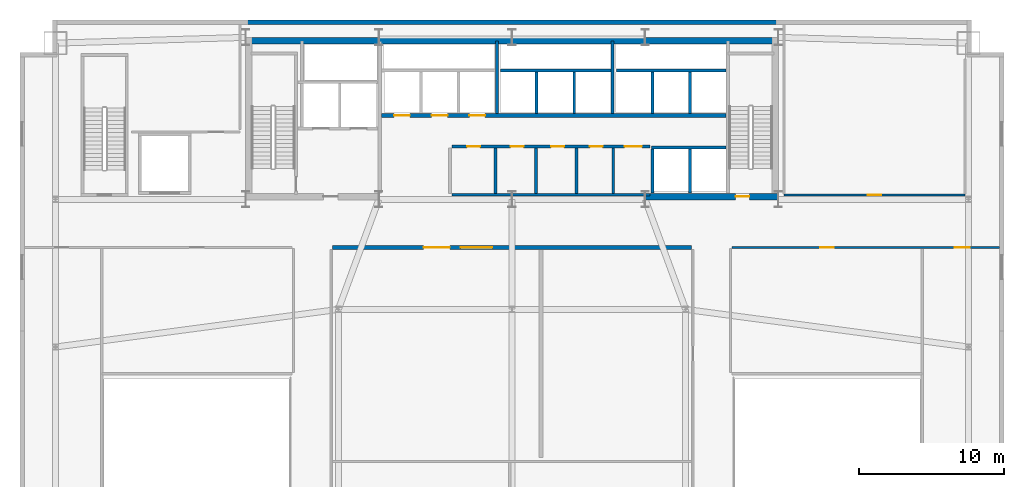
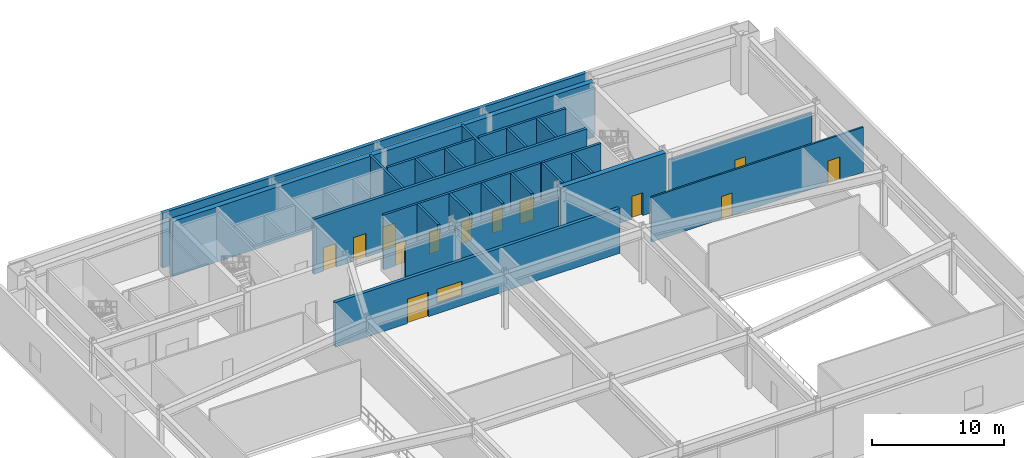
# One storey, part 10 of 13: 24 walls, 13 doors, 1 window, 14 openings.
"""IFC4 building model written with IfcOpenShell, lengths in metres."""

from ifc_helpers import new_model, si_unit, direction, frame, frame_2d, origin, place, context, subcontext, project, spatial, rectangle, extrude, source, transform, mapped, material, layer, layer_set, type_object, type_shapes, element, fill, save


model = new_model("IFC4")

# Units and contexts
model_context = context("Model", 3, precision=1e-05, world=origin(), true_north=direction((0.0, 1.0)))
body_context = subcontext(model_context, "Body", "Model", "MODEL_VIEW")
ifc_project = project(units=[si_unit("LENGTHUNIT", "METRE"), si_unit("AREAUNIT", "SQUARE_METRE"), si_unit("VOLUMEUNIT", "CUBIC_METRE"), si_unit("PLANEANGLEUNIT", "RADIAN"), si_unit("MASSUNIT", "GRAM", prefix="KILO")], contexts=[model_context])

# Site, building, storey
site_placement = place(None, origin())
site = spatial("IfcSite", under=ifc_project, at=site_placement, CompositionType="ELEMENT")
building_placement = place(site_placement, origin())
building = spatial("IfcBuilding", under=site, at=building_placement, Name="Varnel Quay Broadcast Tower", CompositionType="ELEMENT")
storey_placement = place(building_placement, frame((0.0, 0.0, 16.800048828125)))
storey = spatial("IfcBuildingStorey", under=building, at=storey_placement, Name="L03", CompositionType="ELEMENT", Elevation=16.800048828125)

# Walls
ifc_material_1 = material(Name="Concrete CSA A23.3 C50/60", Category="concrete")
ifc_layer_1 = layer(ifc_material_1, 0.199951171875, Name="Concrete CSA A23.3 C50/60")
ifc_layer_set_1 = layer_set([ifc_layer_1], Name="Concrete CSA A23.3 C50/60")
wall_type_1 = type_object("IfcWallType", Name="Wall_CoreShaftShear200", PredefinedType="SHEAR", material=ifc_layer_set_1)
wall_1_placement = place(storey_placement, frame((32.949951171875, 41.530029296875, 0.0), z_axis=(0.0, 0.0, 1.0), x_axis=(0.0, 1.0, 0.0)))
element("IfcWall", 1, at=wall_1_placement, inside=storey, type_object=wall_type_1, Name="L03 Low-Rise Lift Shaft Divider 3", PredefinedType="SHEAR", context=body_context, shape_type="SweptSolid", body=[
    extrude(rectangle(XDim=5.02001953125, YDim=0.199951171875, at=frame_2d((2.510009765625, 0.0))), origin(), (0.0, 0.0, 1.0), 5.079833984375),
])
wall_2_placement = place(storey_placement, frame((33.219970703125, 44.5, 0.0), z_axis=(0.0, 0.0, 1.0), x_axis=(1.0, 0.0, 0.0)))
element("IfcWall", 2, at=wall_2_placement, inside=storey, type_object=wall_type_1, Name="L03 Mid-Rise Lift Shaft Rear Wall", PredefinedType="SHEAR", context=body_context, shape_type="SweptSolid", body=[
    extrude(rectangle(XDim=7.630126953125, YDim=0.199951171875, at=frame_2d((3.81494140625, 0.0))), origin(), (0.0, 0.0, 1.0), 5.079833984375),
])
for number, where, z_axis, x_axis, name in (
    (3, (35.699951171875, 41.530029296875, 0.0), (0.0, 0.0, 1.0), (0.0, 1.0, 0.0), "L03 Mid-Rise Lift Shaft Divider 2"),
    (4, (38.300048828125, 41.530029296875, 0.0), (0.0, 0.0, 1.0), (0.0, 1.0, 0.0), "L03 Mid-Rise Lift Shaft Divider 3"),
):
    element("IfcWall", number, at=place(storey_placement, frame(where, z_axis=z_axis, x_axis=x_axis)), inside=storey, type_object=wall_type_1, Name=name, PredefinedType="SHEAR", context=body_context, shape_type="SweptSolid", body=[
        extrude(rectangle(XDim=2.869873046875, YDim=0.199951171875, at=frame_2d((1.43505859375, 0.0))), origin(), (0.0, 0.0, 1.0), 5.079833984375),
    ])
wall_3_placement = place(storey_placement, frame((40.949951171875, 41.530029296875, 0.0), z_axis=(0.0, 0.0, 1.0), x_axis=(0.0, 1.0, 0.0)))
element("IfcWall", 5, at=wall_3_placement, inside=storey, type_object=wall_type_1, Name="L03 Mid-Rise Lift Shaft Divider 4", PredefinedType="SHEAR", context=body_context, shape_type="SweptSolid", body=[
    extrude(rectangle(XDim=5.02001953125, YDim=0.199951171875, at=frame_2d((2.510009765625, 0.0))), origin(), (0.0, 0.0, 1.0), 5.079833984375),
])
wall_4_placement = place(storey_placement, frame((41.219970703125, 44.5, 0.0), z_axis=(0.0, 0.0, 1.0), x_axis=(1.0, 0.0, 0.0)))
element("IfcWall", 6, at=wall_4_placement, inside=storey, type_object=wall_type_1, Name="L03 High-Rise Lift Shaft Rear Wall", PredefinedType="SHEAR", context=body_context, shape_type="SweptSolid", body=[
    extrude(rectangle(XDim=7.580078125, YDim=0.199951171875, at=frame_2d((3.7900390625, 0.0))), origin(), (0.0, 0.0, 1.0), 5.079833984375),
])
for number, where, z_axis, x_axis, name in (
    (7, (43.699951171875, 41.530029296875, 0.0), (0.0, 0.0, 1.0), (0.0, 1.0, 0.0), "L03 High-Rise Lift Shaft Divider 2"),
    (8, (46.300048828125, 41.530029296875, 0.0), (0.0, 0.0, 1.0), (0.0, 1.0, 0.0), "L03 High-Rise Lift Shaft Divider 3"),
):
    element("IfcWall", number, at=place(storey_placement, frame(where, z_axis=z_axis, x_axis=x_axis)), inside=storey, type_object=wall_type_1, Name=name, PredefinedType="SHEAR", context=body_context, shape_type="SweptSolid", body=[
        extrude(rectangle(XDim=2.869873046875, YDim=0.199951171875, at=frame_2d((1.43505859375, 0.0))), origin(), (0.0, 0.0, 1.0), 5.079833984375),
    ])
for number, where, z_axis, x_axis, name in (
    (9, (43.699951171875, 36.050048828125, 0.0), (0.0, 0.0, 1.0), (0.0, 1.0, 0.0), "L03 Express Lift Shaft West Wall"),
    (10, (46.300048828125, 36.050048828125, 0.0), (0.0, 0.0, 1.0), (0.0, 1.0, 0.0), "L03 Express Lift Shaft Divider"),
):
    element("IfcWall", number, at=place(storey_placement, frame(where, z_axis=z_axis, x_axis=x_axis)), inside=storey, type_object=wall_type_1, Name=name, PredefinedType="SHEAR", context=body_context, shape_type="SweptSolid", body=[
        extrude(rectangle(XDim=3.050048828125, YDim=0.199951171875, at=frame_2d((1.52490234375, 0.0))), origin(), (0.0, 0.0, 1.0), 5.079833984375),
    ])
wall_5_placement = place(storey_placement, frame((43.64990234375, 39.199951171875, 0.0), z_axis=(0.0, 0.0, 1.0), x_axis=(1.0, 0.0, 0.0)))
element("IfcWall", 11, at=wall_5_placement, inside=storey, type_object=wall_type_1, Name="L03 Express Lift Shaft North Front Wall", PredefinedType="SHEAR", context=body_context, shape_type="SweptSolid", body=[
    extrude(rectangle(XDim=5.150146484375, YDim=0.199951171875, at=frame_2d((2.5751953125, 0.0))), origin(), (0.0, 0.0, 1.0), 5.079833984375),
])

# Wall, openings, doors
ifc_layer_2 = layer(ifc_material_1, 0.25, Name="Concrete CSA A23.3 C50/60")
ifc_layer_set_2 = layer_set([ifc_layer_2], Name="Concrete CSA A23.3 C50/60")
wall_type_2 = type_object("IfcWallType", Name="Wall_CoreShaftShear250", PredefinedType="SHEAR", material=ifc_layer_set_2)
wall_6_placement = place(storey_placement, frame((24.97998046875, 41.39990234375, 0.0), z_axis=(0.0, 0.0, 1.0), x_axis=(1.0, 0.0, 0.0)))
wall_6 = element("IfcWall", 12, at=wall_6_placement, inside=storey, type_object=wall_type_2, Name="L03 North Lift Bank & Reclaimed Suite Wall", PredefinedType="SHEAR", context=body_context, shape_type="SweptSolid", body=[
    extrude(rectangle(XDim=23.820068359375, YDim=0.25, at=frame_2d((11.91015625, 0.0))), origin(), (0.0, 0.0, 1.0), 5.079833984375),
])
opening_1_placement = place(wall_6_placement, frame((0.8701171875, 0.0, 0.0)))
opening_1 = element("IfcOpeningElement", 13, at=opening_1_placement, cuts=wall_6, Name="Opening LD-L03-PL-01", PredefinedType="OPENING", context=body_context, shape_type="SweptSolid", body=[
    extrude(rectangle(XDim=1.10009765625, YDim=2.179931640625, at=frame_2d((0.550048828125, 1.08984375))), frame((0.0, 0.135009765625, 0.0), z_axis=(0.0, -1.0, 0.0), x_axis=(1.0, 0.0, 0.0)), (0.0, 0.0, 1.0), 0.27001953125),
])
opening_2_placement = place(wall_6_placement, frame((3.469970703125, 0.0, 0.0)))
opening_2 = element("IfcOpeningElement", 14, at=opening_2_placement, cuts=wall_6, Name="Opening LD-L03-PL-02", PredefinedType="OPENING", context=body_context, shape_type="SweptSolid", body=[
    extrude(rectangle(XDim=1.10009765625, YDim=2.179931640625, at=frame_2d((0.550048828125, 1.08984375))), frame((0.0, 0.135009765625, 0.0), z_axis=(0.0, -1.0, 0.0), x_axis=(1.0, 0.0, 0.0)), (0.0, 0.0, 1.0), 0.27001953125),
])
opening_3_placement = place(wall_6_placement, frame((6.070068359375, 0.0, 0.0)))
opening_3 = element("IfcOpeningElement", 15, at=opening_3_placement, cuts=wall_6, Name="Opening LD-L03-PL-03", PredefinedType="OPENING", context=body_context, shape_type="SweptSolid", body=[
    extrude(rectangle(XDim=1.10009765625, YDim=2.179931640625, at=frame_2d((0.550048828125, 1.08984375))), frame((0.0, 0.135009765625, 0.0), z_axis=(0.0, -1.0, 0.0), x_axis=(1.0, 0.0, 0.0)), (0.0, 0.0, 1.0), 0.27001953125),
])
ifc_material_2 = material(Name="Brushed Bronze-Stainless Lift Car & Sliding Doors", Category="steel")
door_type_1 = type_object("IfcDoorType", Name="Door_LiftLanding1100", OperationType="SLIDING_TO_LEFT", PredefinedType="DOOR", material=ifc_material_2)
shared_shape_1 = source(origin(), body_context, "Body", "SweptSolid", [
    extrude(rectangle(XDim=1.10009765625, YDim=2.179931640625, at=frame_2d((0.550048828125, 1.08984375))), frame((0.0, 0.02490234375, 0.0), z_axis=(0.0, -1.0, 0.0), x_axis=(1.0, 0.0, 0.0)), (0.0, 0.0, 1.0), 0.050048828125),
])
type_shapes(door_type_1, [shared_shape_1])
door_1_placement = place(opening_1_placement, frame((1.10009765625, 0.0, 0.0), z_axis=(0.0, 0.0, 1.0), x_axis=(-1.0, 0.0, 0.0)))
door_1 = element("IfcDoor", 16, at=door_1_placement, inside=storey, type_object=door_type_1, Name="L03 Lift PL-01 Landing Door", OperationType="SLIDING_TO_LEFT", OverallHeight=2.179931640625, OverallWidth=1.10009765625, PredefinedType="DOOR", context=body_context, shape_type="MappedRepresentation", body=[
    mapped(shared_shape_1, transform((0.0, 0.0, 0.0), x_axis=(1.0, 0.0, 0.0), y_axis=(0.0, 1.0, 0.0), z_axis=(0.0, 0.0, 1.0), scale=1.0)),
])
fill(opening_1, door_1)
door_2_placement = place(opening_2_placement, frame((1.10009765625, 0.0, 0.0), z_axis=(0.0, 0.0, 1.0), x_axis=(-1.0, 0.0, 0.0)))
door_2 = element("IfcDoor", 17, at=door_2_placement, inside=storey, type_object=door_type_1, Name="L03 Lift PL-02 Landing Door", OperationType="SLIDING_TO_LEFT", OverallHeight=2.179931640625, OverallWidth=1.10009765625, PredefinedType="DOOR", context=body_context, shape_type="MappedRepresentation", body=[
    mapped(shared_shape_1, transform((0.0, 0.0, 0.0), x_axis=(1.0, 0.0, 0.0), y_axis=(0.0, 1.0, 0.0), z_axis=(0.0, 0.0, 1.0), scale=1.0)),
])
fill(opening_2, door_2)
door_3_placement = place(opening_3_placement, frame((1.10009765625, 0.0, 0.0), z_axis=(0.0, 0.0, 1.0), x_axis=(-1.0, 0.0, 0.0)))
door_3 = element("IfcDoor", 18, at=door_3_placement, inside=storey, type_object=door_type_1, Name="L03 Lift PL-03 Landing Door", OperationType="SLIDING_TO_LEFT", OverallHeight=2.179931640625, OverallWidth=1.10009765625, PredefinedType="DOOR", context=body_context, shape_type="MappedRepresentation", body=[
    mapped(shared_shape_1, transform((0.0, 0.0, 0.0), x_axis=(1.0, 0.0, 0.0), y_axis=(0.0, 1.0, 0.0), z_axis=(0.0, 0.0, 1.0), scale=1.0)),
])
fill(opening_3, door_3)

# Wall
ifc_material_3 = material(Name="Concrete CSA A23.3 C60/75", Category="concrete")
ifc_layer_3 = layer(ifc_material_3, 0.449951171875, Name="Concrete CSA A23.3 C60/75")
ifc_layer_set_3 = layer_set([ifc_layer_3], Name="Concrete CSA A23.3 C60/75")
wall_type_3 = type_object("IfcWallType", Name="Wall_CoreShearInt450", PredefinedType="SHEAR", material=ifc_layer_set_3)
wall_7_placement = place(storey_placement, frame((15.60009765625, 46.574951171875, 0.0), z_axis=(0.0, 0.0, 1.0), x_axis=(1.0, 0.0, 0.0)))
element("IfcWall", 19, at=wall_7_placement, inside=storey, type_object=wall_type_3, Name="L03 North Core Shear Wall", PredefinedType="SHEAR", context=body_context, shape_type="SweptSolid", body=[
    extrude(rectangle(XDim=36.7998046875, YDim=0.449951171875, at=frame_2d((18.39990234375, 0.0))), origin(), (0.0, 0.0, 1.0), 5.079833984375),
])

# Wall, opening, door
wall_8_placement = place(storey_placement, frame((43.199951171875, 35.794921875, 0.0), z_axis=(0.0, 0.0, 1.0), x_axis=(1.0, 0.0, 0.0)))
wall_8 = element("IfcWall", 20, at=wall_8_placement, inside=storey, type_object=wall_type_3, Name="L03 South-East Core Shear Wall", PredefinedType="SHEAR", context=body_context, shape_type="SweptSolid", body=[
    extrude(rectangle(XDim=9.22998046875, YDim=0.449951171875, at=frame_2d((4.614990234375, 0.0))), origin(), (0.0, 0.0, 1.0), 5.079833984375),
])
opening_4_placement = place(wall_8_placement, frame((6.25, 0.0, 0.0)))
opening_4 = element("IfcOpeningElement", 21, at=opening_4_placement, cuts=wall_8, Name="Opening D-L03-S2", PredefinedType="OPENING", context=body_context, shape_type="SweptSolid", body=[
    extrude(rectangle(XDim=0.949951171875, YDim=2.10009765625, at=frame_2d((0.47509765625, 1.050048828125))), frame((0.0, 0.23486328125, 0.0), z_axis=(0.0, -1.0, 0.0), x_axis=(1.0, 0.0, 0.0)), (0.0, 0.0, 1.0), 0.469970703125),
])
ifc_material_4 = material(Name="Insulated Fire-Rated Hollow Steel Door", Category="steel")
door_type_2 = type_object("IfcDoorType", Name="Door_FireStair950", OperationType="NOTDEFINED", PredefinedType="DOOR", material=ifc_material_4)
shared_shape_2 = source(origin(), body_context, "Body", "SweptSolid", [
    extrude(rectangle(XDim=0.949951171875, YDim=2.10009765625, at=frame_2d((0.47509765625, 1.050048828125))), frame((0.0, 0.02490234375, 0.0), z_axis=(0.0, -1.0, 0.0), x_axis=(1.0, 0.0, 0.0)), (0.0, 0.0, 1.0), 0.050048828125),
])
type_shapes(door_type_2, [shared_shape_2])
door_4_placement = place(opening_4_placement, origin())
door_4 = element("IfcDoor", 22, at=door_4_placement, inside=storey, type_object=door_type_2, Name="L03 Stair 2 Fire Door", OperationType="SINGLE_SWING_RIGHT", OverallHeight=2.10009765625, OverallWidth=0.949951171875, PredefinedType="DOOR", context=body_context, shape_type="MappedRepresentation", body=[
    mapped(shared_shape_2, transform((0.0, 0.0, 0.0), x_axis=(1.0, 0.0, 0.0), y_axis=(0.0, 1.0, 0.0), z_axis=(0.0, 0.0, 1.0), scale=1.0)),
])
fill(opening_4, door_4)

# Walls
ifc_material_5 = material(Name="Precast Architectural Concrete C40/50", Category="concrete")
ifc_layer_4 = layer(ifc_material_5, 0.300048828125, Name="Precast Architectural Concrete C40/50")
ifc_layer_set_4 = layer_set([ifc_layer_4], Name="Precast Architectural Concrete C40/50")
wall_type_4 = type_object("IfcWallType", Name="Wall_ExtPodium300", PredefinedType="SOLIDWALL", material=ifc_layer_set_4)
wall_9_placement = place(storey_placement, frame((15.5, 47.85009765625, 0.0), z_axis=(0.0, 0.0, 1.0), x_axis=(1.0, 0.0, 0.0)))
element("IfcWall", 23, at=wall_9_placement, inside=storey, type_object=wall_type_4, Name="L03 North Core Podium Cladding Wall", PredefinedType="SOLIDWALL", context=body_context, shape_type="SweptSolid", body=[
    extrude(rectangle(XDim=37.0, YDim=0.300048828125, at=frame_2d((18.5, 0.0))), origin(), (0.0, 0.0, 1.0), 5.06005859375),
])
ifc_material_6 = material(Name="Concrete Blockwork Fire Enclosure C40/50", Category="masonry")
ifc_layer_5 = layer(ifc_material_6, 0.199951171875, Name="Concrete Blockwork Fire Enclosure C40/50")
ifc_layer_set_5 = layer_set([ifc_layer_5], Name="Concrete Blockwork Fire Enclosure C40/50")
wall_type_5 = type_object("IfcWallType", Name="Wall_FireShaft200", PredefinedType="SOLIDWALL", material=ifc_layer_set_5)
wall_10_placement = place(storey_placement, frame((29.85009765625, 35.925048828125, 0.0), z_axis=(0.0, 0.0, 1.0), x_axis=(1.0, 0.0, 0.0)))
element("IfcWall", 24, at=wall_10_placement, inside=storey, type_object=wall_type_5, Name="L03 Accessible Washroom Partition 1", PredefinedType="SOLIDWALL", context=body_context, shape_type="SweptSolid", body=[
    extrude(rectangle(XDim=13.699951171875, YDim=0.199951171875, at=frame_2d((6.85009765625, 0.0))), origin(), (0.0, 0.0, 1.0), 4.14306640625),
])

# Wall, openings, doors
wall_11_placement = place(storey_placement, frame((29.85009765625, 39.25, 0.0), z_axis=(0.0, 0.0, 1.0), x_axis=(1.0, 0.0, 0.0)))
wall_11 = element("IfcWall", 25, at=wall_11_placement, inside=storey, type_object=wall_type_5, Name="L03 Accessible Washroom Partition 3", PredefinedType="SOLIDWALL", context=body_context, shape_type="SweptSolid", body=[
    extrude(rectangle(XDim=13.699951171875, YDim=0.199951171875, at=frame_2d((6.85009765625, 0.0))), origin(), (0.0, 0.0, 1.0), 5.06005859375),
])
opening_5_placement = place(wall_11_placement, frame((1.050048828125, 0.0, 0.0)))
opening_5 = element("IfcOpeningElement", 26, at=opening_5_placement, cuts=wall_11, Name="Opening D-L03-01", PredefinedType="OPENING", context=body_context, shape_type="SweptSolid", body=[
    extrude(rectangle(XDim=0.89990234375, YDim=2.06005859375, at=frame_2d((0.449951171875, 1.030029296875))), frame((0.0, 0.10986328125, 0.0), z_axis=(0.0, -1.0, 0.0), x_axis=(1.0, 0.0, 0.0)), (0.0, 0.0, 1.0), 0.219970703125),
])
opening_6_placement = place(wall_11_placement, frame((4.050048828125, 0.0, 0.0)))
opening_6 = element("IfcOpeningElement", 27, at=opening_6_placement, cuts=wall_11, Name="Opening D-L03-02", PredefinedType="OPENING", context=body_context, shape_type="SweptSolid", body=[
    extrude(rectangle(XDim=0.89990234375, YDim=2.06005859375, at=frame_2d((0.449951171875, 1.030029296875))), frame((0.0, 0.10986328125, 0.0), z_axis=(0.0, -1.0, 0.0), x_axis=(1.0, 0.0, 0.0)), (0.0, 0.0, 1.0), 0.219970703125),
])
opening_7_placement = place(wall_11_placement, frame((6.85009765625, 0.0, 0.0)))
opening_7 = element("IfcOpeningElement", 28, at=opening_7_placement, cuts=wall_11, Name="Opening D-L03-03", PredefinedType="OPENING", context=body_context, shape_type="SweptSolid", body=[
    extrude(rectangle(XDim=0.89990234375, YDim=2.06005859375, at=frame_2d((0.449951171875, 1.030029296875))), frame((0.0, 0.10986328125, 0.0), z_axis=(0.0, -1.0, 0.0), x_axis=(1.0, 0.0, 0.0)), (0.0, 0.0, 1.0), 0.219970703125),
])
opening_8_placement = place(wall_11_placement, frame((9.534912109375, 0.0, 0.0)))
opening_8 = element("IfcOpeningElement", 29, at=opening_8_placement, cuts=wall_11, Name="Opening D-L03-04", PredefinedType="OPENING", context=body_context, shape_type="SweptSolid", body=[
    extrude(rectangle(XDim=0.8798828125, YDim=2.06005859375, at=frame_2d((0.43994140625, 1.030029296875))), frame((0.0, 0.10986328125, 0.0), z_axis=(0.0, -1.0, 0.0), x_axis=(1.0, 0.0, 0.0)), (0.0, 0.0, 1.0), 0.219970703125),
])
opening_9_placement = place(wall_11_placement, frame((11.925048828125, 0.0, 0.0)))
opening_9 = element("IfcOpeningElement", 30, at=opening_9_placement, cuts=wall_11, Name="Opening D-L03-05", PredefinedType="OPENING", context=body_context, shape_type="SweptSolid", body=[
    extrude(rectangle(XDim=1.199951171875, YDim=2.10009765625, at=frame_2d((0.60009765625, 1.050048828125))), frame((0.0, 0.10986328125, 0.0), z_axis=(0.0, -1.0, 0.0), x_axis=(1.0, 0.0, 0.0)), (0.0, 0.0, 1.0), 0.219970703125),
])
ifc_material_7 = material(Name="Solid-Core Fire-Rated Acoustic Oak Veneer Door", Category="wood")
door_type_3 = type_object("IfcDoorType", Name="Door_Washroom900", OperationType="NOTDEFINED", PredefinedType="DOOR", material=ifc_material_7)
shared_shape_3 = source(origin(), body_context, "Body", "SweptSolid", [
    extrude(rectangle(XDim=0.89990234375, YDim=2.06005859375, at=frame_2d((0.449951171875, 1.030029296875))), frame((0.0, 0.02490234375, 0.0), z_axis=(0.0, -1.0, 0.0), x_axis=(1.0, 0.0, 0.0)), (0.0, 0.0, 1.0), 0.050048828125),
])
type_shapes(door_type_3, [shared_shape_3])
door_5_placement = place(opening_5_placement, frame((0.89990234375, 0.0, 0.0), z_axis=(0.0, 0.0, 1.0), x_axis=(-1.0, 0.0, 0.0)))
door_5 = element("IfcDoor", 31, at=door_5_placement, inside=storey, type_object=door_type_3, Name="L03 Accessible Washroom Door D-L03-01", OperationType="SINGLE_SWING_RIGHT", OverallHeight=2.06005859375, OverallWidth=0.89990234375, PredefinedType="DOOR", context=body_context, shape_type="MappedRepresentation", body=[
    mapped(shared_shape_3, transform((0.0, 0.0, 0.0), x_axis=(1.0, 0.0, 0.0), y_axis=(0.0, 1.0, 0.0), z_axis=(0.0, 0.0, 1.0), scale=1.0)),
])
fill(opening_5, door_5)
door_6_placement = place(opening_6_placement, frame((0.89990234375, 0.0, 0.0), z_axis=(0.0, 0.0, 1.0), x_axis=(-1.0, 0.0, 0.0)))
door_6 = element("IfcDoor", 32, at=door_6_placement, inside=storey, type_object=door_type_3, Name="L03 West Gender-Neutral Washroom Door D-L03-02", OperationType="SINGLE_SWING_LEFT", OverallHeight=2.06005859375, OverallWidth=0.89990234375, PredefinedType="DOOR", context=body_context, shape_type="MappedRepresentation", body=[
    mapped(shared_shape_3, transform((0.0, 0.0, 0.0), x_axis=(1.0, 0.0, 0.0), y_axis=(0.0, 1.0, 0.0), z_axis=(0.0, 0.0, 1.0), scale=1.0)),
])
fill(opening_6, door_6)
door_7_placement = place(opening_7_placement, frame((0.89990234375, 0.0, 0.0), z_axis=(0.0, 0.0, 1.0), x_axis=(-1.0, 0.0, 0.0)))
door_7 = element("IfcDoor", 33, at=door_7_placement, inside=storey, type_object=door_type_3, Name="L03 East Staff Washroom Door D-L03-03", OperationType="SINGLE_SWING_RIGHT", OverallHeight=2.06005859375, OverallWidth=0.89990234375, PredefinedType="DOOR", context=body_context, shape_type="MappedRepresentation", body=[
    mapped(shared_shape_3, transform((0.0, 0.0, 0.0), x_axis=(1.0, 0.0, 0.0), y_axis=(0.0, 1.0, 0.0), z_axis=(0.0, 0.0, 1.0), scale=1.0)),
])
fill(opening_7, door_7)
door_type_4 = type_object("IfcDoorType", Name="Door_Plant1200", OperationType="NOTDEFINED", PredefinedType="DOOR", material=ifc_material_4)
shared_shape_4 = source(origin(), body_context, "Body", "SweptSolid", [
    extrude(rectangle(XDim=1.199951171875, YDim=2.10009765625, at=frame_2d((0.60009765625, 1.050048828125))), frame((0.0, 0.02490234375, 0.0), z_axis=(0.0, -1.0, 0.0), x_axis=(1.0, 0.0, 0.0)), (0.0, 0.0, 1.0), 0.050048828125),
])
type_shapes(door_type_4, [shared_shape_4])
door_8_placement = place(opening_9_placement, origin())
door_8 = element("IfcDoor", 34, at=door_8_placement, inside=storey, type_object=door_type_4, Name="L03 Telecom IDF Closet Door D-L03-05", OperationType="SINGLE_SWING_RIGHT", OverallHeight=2.10009765625, OverallWidth=1.199951171875, PredefinedType="DOOR", context=body_context, shape_type="MappedRepresentation", body=[
    mapped(shared_shape_4, transform((0.0, 0.0, 0.0), x_axis=(1.0, 0.0, 0.0), y_axis=(0.0, 1.0, 0.0), z_axis=(0.0, 0.0, 1.0), scale=1.0)),
])
fill(opening_9, door_8)
door_type_5 = type_object("IfcDoorType", Name="Door_Booth880", OperationType="NOTDEFINED", PredefinedType="DOOR", material=ifc_material_7)
shared_shape_5 = source(origin(), body_context, "Body", "SweptSolid", [
    extrude(rectangle(XDim=0.8798828125, YDim=2.06005859375, at=frame_2d((0.43994140625, 1.030029296875))), frame((0.0, 0.02490234375, 0.0), z_axis=(0.0, -1.0, 0.0), x_axis=(1.0, 0.0, 0.0)), (0.0, 0.0, 1.0), 0.050048828125),
])
type_shapes(door_type_5, [shared_shape_5])
door_9_placement = place(opening_8_placement, frame((0.8798828125, 0.0, 0.0), z_axis=(0.0, 0.0, 1.0), x_axis=(-1.0, 0.0, 0.0)))
door_9 = element("IfcDoor", 35, at=door_9_placement, inside=storey, type_object=door_type_5, Name="L03 Cleaners' & Linen Store Door D-L03-04", OperationType="SINGLE_SWING_LEFT", OverallHeight=2.06005859375, OverallWidth=0.8798828125, PredefinedType="DOOR", context=body_context, shape_type="MappedRepresentation", body=[
    mapped(shared_shape_5, transform((0.0, 0.0, 0.0), x_axis=(1.0, 0.0, 0.0), y_axis=(0.0, 1.0, 0.0), z_axis=(0.0, 0.0, 1.0), scale=1.0)),
])
fill(opening_8, door_9)

# Wall
wall_12_placement = place(storey_placement, frame((41.0, 36.02490234375, 0.0), z_axis=(0.0, 0.0, 1.0), x_axis=(0.0, 1.0, 0.0)))
element("IfcWall", 36, at=wall_12_placement, inside=storey, type_object=wall_type_5, Name="L03 Cleaners' & Linen Store Partition 7", PredefinedType="SOLIDWALL", context=body_context, shape_type="SweptSolid", body=[
    extrude(rectangle(XDim=3.125, YDim=0.199951171875, at=frame_2d((1.5625, 0.0))), origin(), (0.0, 0.0, 1.0), 5.06005859375),
])

# Wall, openings, doors
ifc_material_8 = material(Name="Steel-Stud Fire-Rated Acoustic Gypsum Partition Assembly", Category="steel")
ifc_layer_6 = layer(ifc_material_8, 0.14990234375, Name="Steel-Stud Fire-Rated Acoustic Gypsum Partition Assembly")
ifc_layer_set_6 = layer_set([ifc_layer_6], Name="Steel-Stud Fire-Rated Acoustic Gypsum Partition Assembly")
wall_type_6 = type_object("IfcWallType", Name="Wall_Partition150", PredefinedType="PARTITIONING", material=ifc_layer_set_6)
wall_13_placement = place(storey_placement, frame((49.199951171875, 32.27490234375, 0.0), z_axis=(0.0, 0.0, 1.0), x_axis=(1.0, 0.0, 0.0)))
wall_13 = element("IfcWall", 37, at=wall_13_placement, inside=storey, type_object=wall_type_6, Name="L03 North-East Radio Control Office Partition 26", PredefinedType="PARTITIONING", context=body_context, shape_type="SweptSolid", body=[
    extrude(rectangle(XDim=18.489990234375, YDim=0.14990234375, at=frame_2d((9.2451171875, 0.0))), origin(), (0.0, 0.0, 1.0), 4.14306640625),
])
opening_10_placement = place(wall_13_placement, frame((6.114990234375, 0.0, 0.0)))
opening_10 = element("IfcOpeningElement", 38, at=opening_10_placement, cuts=wall_13, Name="Opening D-L03-13", PredefinedType="OPENING", context=body_context, shape_type="SweptSolid", body=[
    extrude(rectangle(XDim=0.919921875, YDim=2.080078125, at=frame_2d((0.4599609375, 1.0400390625))), frame((0.0, 0.0849609375, 0.0), z_axis=(0.0, -1.0, 0.0), x_axis=(1.0, 0.0, 0.0)), (0.0, 0.0, 1.0), 0.169921875),
])
opening_11_placement = place(wall_13_placement, frame((15.39501953125, 0.0, 0.0)))
opening_11 = element("IfcOpeningElement", 39, at=opening_11_placement, cuts=wall_13, Name="Opening D-L03-15", PredefinedType="OPENING", context=body_context, shape_type="SweptSolid", body=[
    extrude(rectangle(XDim=1.050048828125, YDim=2.10009765625, at=frame_2d((0.52490234375, 1.050048828125))), frame((0.0, 0.0849609375, 0.0), z_axis=(0.0, -1.0, 0.0), x_axis=(1.0, 0.0, 0.0)), (0.0, 0.0, 1.0), 0.169921875),
])
door_type_6 = type_object("IfcDoorType", Name="Door_Office920", OperationType="NOTDEFINED", PredefinedType="DOOR", material=ifc_material_7)
shared_shape_6 = source(origin(), body_context, "Body", "SweptSolid", [
    extrude(rectangle(XDim=0.919921875, YDim=2.080078125, at=frame_2d((0.4599609375, 1.0400390625))), frame((0.0, 0.02490234375, 0.0), z_axis=(0.0, -1.0, 0.0), x_axis=(1.0, 0.0, 0.0)), (0.0, 0.0, 1.0), 0.050048828125),
])
type_shapes(door_type_6, [shared_shape_6])
door_10_placement = place(opening_10_placement, frame((0.919921875, 0.0, 0.0), z_axis=(0.0, 0.0, 1.0), x_axis=(-1.0, 0.0, 0.0)))
door_10 = element("IfcDoor", 40, at=door_10_placement, inside=storey, type_object=door_type_6, Name="L03 North-East Radio Control Office Door D-L03-13", OperationType="SINGLE_SWING_RIGHT", OverallHeight=2.080078125, OverallWidth=0.919921875, PredefinedType="DOOR", context=body_context, shape_type="MappedRepresentation", body=[
    mapped(shared_shape_6, transform((0.0, 0.0, 0.0), x_axis=(1.0, 0.0, 0.0), y_axis=(0.0, 1.0, 0.0), z_axis=(0.0, 0.0, 1.0), scale=1.0)),
])
fill(opening_10, door_10)
door_type_7 = type_object("IfcDoorType", Name="Door_Meeting1050", OperationType="NOTDEFINED", PredefinedType="DOOR", material=ifc_material_7)
shared_shape_7 = source(origin(), body_context, "Body", "SweptSolid", [
    extrude(rectangle(XDim=1.050048828125, YDim=2.10009765625, at=frame_2d((0.52490234375, 1.050048828125))), frame((0.0, 0.02490234375, 0.0), z_axis=(0.0, -1.0, 0.0), x_axis=(1.0, 0.0, 0.0)), (0.0, 0.0, 1.0), 0.050048828125),
])
type_shapes(door_type_7, [shared_shape_7])
door_11_placement = place(opening_11_placement, frame((1.050048828125, 0.0, 0.0), z_axis=(0.0, 0.0, 1.0), x_axis=(-1.0, 0.0, 0.0)))
door_11 = element("IfcDoor", 41, at=door_11_placement, inside=storey, type_object=door_type_7, Name="L03 East Producer Briefing Room Door D-L03-15", OperationType="SINGLE_SWING_LEFT", OverallHeight=2.10009765625, OverallWidth=1.050048828125, PredefinedType="DOOR", context=body_context, shape_type="MappedRepresentation", body=[
    mapped(shared_shape_7, transform((0.0, 0.0, 0.0), x_axis=(1.0, 0.0, 0.0), y_axis=(0.0, 1.0, 0.0), z_axis=(0.0, 0.0, 1.0), scale=1.0)),
])
fill(opening_11, door_11)

# Wall, opening, door
wall_14_placement = place(storey_placement, frame((52.800048828125, 35.89990234375, 0.0), z_axis=(0.0, 0.0, 1.0), x_axis=(1.0, 0.0, 0.0)))
wall_14 = element("IfcWall", 42, at=wall_14_placement, inside=storey, type_object=wall_type_6, Name="L03 Broadcast Engineering Office Partition 30", PredefinedType="PARTITIONING", context=body_context, shape_type="SweptSolid", body=[
    extrude(rectangle(XDim=12.5, YDim=0.14990234375, at=frame_2d((6.25, 0.0))), origin(), (0.0, 0.0, 1.0), 4.14306640625),
])
opening_12_placement = place(wall_14_placement, frame((5.7900390625, 0.0, 0.0)))
opening_12 = element("IfcOpeningElement", 43, at=opening_12_placement, cuts=wall_14, Name="Opening D-L03-17", PredefinedType="OPENING", context=body_context, shape_type="SweptSolid", body=[
    extrude(rectangle(XDim=0.919921875, YDim=2.080078125, at=frame_2d((0.4599609375, 1.0400390625))), frame((0.0, 0.0849609375, 0.0), z_axis=(0.0, -1.0, 0.0), x_axis=(1.0, 0.0, 0.0)), (0.0, 0.0, 1.0), 0.169921875),
])
door_12_placement = place(opening_12_placement, origin())
door_12 = element("IfcDoor", 44, at=door_12_placement, inside=storey, type_object=door_type_6, Name="L03 Broadcast Engineering Office Door D-L03-17", OperationType="SINGLE_SWING_LEFT", OverallHeight=2.080078125, OverallWidth=0.919921875, PredefinedType="DOOR", context=body_context, shape_type="MappedRepresentation", body=[
    mapped(shared_shape_6, transform((0.0, 0.0, 0.0), x_axis=(1.0, 0.0, 0.0), y_axis=(0.0, 1.0, 0.0), z_axis=(0.0, 0.0, 1.0), scale=1.0)),
])
fill(opening_12, door_12)

# Walls
ifc_material_9 = material(Name="Fire-Rated Moisture-Resistant Plumbing Chase Partition")
ifc_layer_7 = layer(ifc_material_9, 0.199951171875, Name="Fire-Rated Moisture-Resistant Plumbing Chase Partition")
ifc_layer_set_7 = layer_set([ifc_layer_7], Name="Fire-Rated Moisture-Resistant Plumbing Chase Partition")
wall_type_7 = type_object("IfcWallType", Name="Wall_Plumbing200", PredefinedType="PLUMBINGWALL", material=ifc_layer_set_7)
for number, where, z_axis, x_axis, name in (
    (45, (32.85009765625, 36.02490234375, 0.0), (0.0, 0.0, 1.0), (0.0, 1.0, 0.0), "L03 Accessible Washroom Partition 2"),
    (46, (35.64990234375, 36.02490234375, 0.0), (0.0, 0.0, 1.0), (0.0, 1.0, 0.0), "L03 West Gender-Neutral Washroom Partition 5"),
    (47, (38.449951171875, 36.02490234375, 0.0), (0.0, 0.0, 1.0), (0.0, 1.0, 0.0), "L03 East Staff Washroom Partition 6"),
):
    element("IfcWall", number, at=place(storey_placement, frame(where, z_axis=z_axis, x_axis=x_axis)), inside=storey, type_object=wall_type_7, Name=name, PredefinedType="PLUMBINGWALL", context=body_context, shape_type="SweptSolid", body=[
        extrude(rectangle(XDim=3.125, YDim=0.199951171875, at=frame_2d((1.5625, 0.0))), origin(), (0.0, 0.0, 1.0), 5.06005859375),
    ])

# Wall, openings, door, window
ifc_material_10 = material(Name="Double-Leaf Isolated Acoustic Studio Wall Concrete C40/50", Category="concrete")
ifc_layer_8 = layer(ifc_material_10, 0.280029296875, Name="Double-Leaf Isolated Acoustic Studio Wall Concrete C40/50")
ifc_layer_set_8 = layer_set([ifc_layer_8], Name="Double-Leaf Isolated Acoustic Studio Wall Concrete C40/50")
wall_type_8 = type_object("IfcWallType", Name="Wall_StudioAcoustic280", PredefinedType="SOLIDWALL", material=ifc_layer_set_8)
wall_15_placement = place(storey_placement, frame((21.60009765625, 32.27490234375, 0.0), z_axis=(0.0, 0.0, 1.0), x_axis=(1.0, 0.0, 0.0)))
wall_15 = element("IfcWall", 48, at=wall_15_placement, inside=storey, type_object=wall_type_8, Name="L03 Radio Drama Recording Studio Partition 13", PredefinedType="SOLIDWALL", context=body_context, shape_type="SweptSolid", body=[
    extrude(rectangle(XDim=24.7998046875, YDim=0.280029296875, at=frame_2d((12.39990234375, 0.0))), origin(), (0.0, 0.0, 1.0), 4.14306640625),
])
opening_13_placement = place(wall_15_placement, frame((6.300048828125, 0.0, 0.0)))
opening_13 = element("IfcOpeningElement", 49, at=opening_13_placement, cuts=wall_15, Name="Opening D-L03-08", PredefinedType="OPENING", context=body_context, shape_type="SweptSolid", body=[
    extrude(rectangle(XDim=1.800048828125, YDim=2.25, at=frame_2d((0.89990234375, 1.125))), frame((0.0, 0.14990234375, 0.0), z_axis=(0.0, -1.0, 0.0), x_axis=(1.0, 0.0, 0.0)), (0.0, 0.0, 1.0), 0.300048828125),
])
opening_14_placement = place(wall_15_placement, frame((8.85009765625, 0.0, 0.949951171875)))
opening_14 = element("IfcOpeningElement", 50, at=opening_14_placement, cuts=wall_15, Name="Opening W-INT01", PredefinedType="OPENING", context=body_context, shape_type="SweptSolid", body=[
    extrude(rectangle(XDim=2.199951171875, YDim=1.300048828125, at=frame_2d((1.10009765625, 0.64990234375))), frame((0.0, 0.14990234375, 0.0), z_axis=(0.0, -1.0, 0.0), x_axis=(1.0, 0.0, 0.0)), (0.0, 0.0, 1.0), 0.300048828125),
])
door_type_8 = type_object("IfcDoorType", Name="Door_StudioSound1800", OperationType="DOUBLE_DOOR_SINGLE_SWING", PredefinedType="DOOR", material=ifc_material_4)
shared_shape_8 = source(origin(), body_context, "Body", "SweptSolid", [
    extrude(rectangle(XDim=1.800048828125, YDim=2.25, at=frame_2d((0.89990234375, 1.125))), frame((0.0, 0.02490234375, 0.0), z_axis=(0.0, -1.0, 0.0), x_axis=(1.0, 0.0, 0.0)), (0.0, 0.0, 1.0), 0.050048828125),
])
type_shapes(door_type_8, [shared_shape_8])
door_13_placement = place(opening_13_placement, frame((1.800048828125, 0.0, 0.0), z_axis=(0.0, 0.0, 1.0), x_axis=(-1.0, 0.0, 0.0)))
door_13 = element("IfcDoor", 51, at=door_13_placement, inside=storey, type_object=door_type_8, Name="L03 Radio Drama Recording Studio Door D-L03-08", OperationType="DOUBLE_DOOR_SINGLE_SWING", OverallHeight=2.25, OverallWidth=1.800048828125, PredefinedType="DOOR", context=body_context, shape_type="MappedRepresentation", body=[
    mapped(shared_shape_8, transform((0.0, 0.0, 0.0), x_axis=(1.0, 0.0, 0.0), y_axis=(0.0, 1.0, 0.0), z_axis=(0.0, 0.0, 1.0), scale=1.0)),
])
fill(opening_13, door_13)
ifc_material_11 = material(Name="Acoustic Laminated Control Glass", Category="glass")
window_type = type_object("IfcWindowType", Name="Win_IntControlGallery", PartitioningType="SINGLE_PANEL", PredefinedType="WINDOW", material=ifc_material_11)
shared_shape_9 = source(origin(), body_context, "Body", "SweptSolid", [
    extrude(rectangle(XDim=2.199951171875, YDim=1.300048828125, at=frame_2d((1.10009765625, 0.64990234375))), frame((0.0, 0.030029296875, 0.0), z_axis=(0.0, -1.0, 0.0), x_axis=(1.0, 0.0, 0.0)), (0.0, 0.0, 1.0), 0.06005859375),
])
type_shapes(window_type, [shared_shape_9])
window_placement = place(opening_14_placement, origin())
window = element("IfcWindow", 52, at=window_placement, inside=storey, type_object=window_type, Name="L03 Studio Control Observation Window 8", OverallHeight=1.300048828125, OverallWidth=2.199951171875, PartitioningType="SINGLE_PANEL", PredefinedType="WINDOW", context=body_context, shape_type="MappedRepresentation", body=[
    mapped(shared_shape_9, transform((0.0, 0.0, 0.0), x_axis=(1.0, 0.0, 0.0), y_axis=(0.0, 1.0, 0.0), z_axis=(0.0, 0.0, 1.0), scale=1.0)),
])
fill(opening_14, window)

save(model, "model.ifc")
